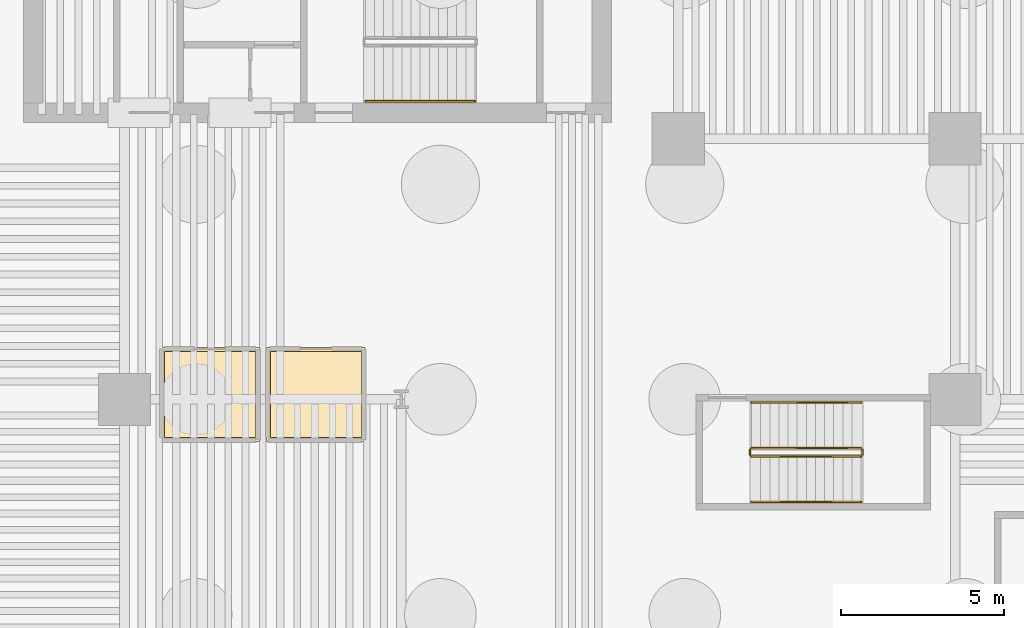
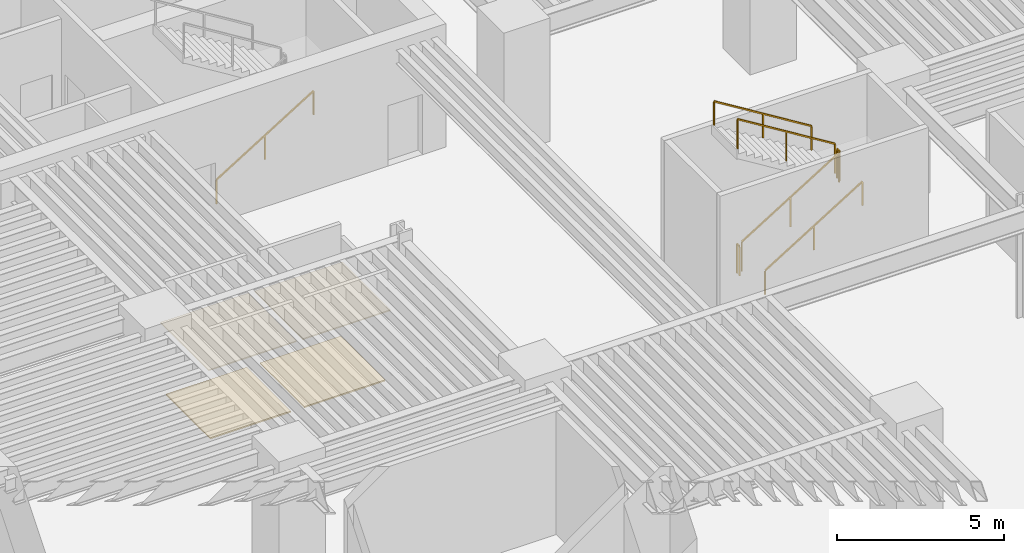
# One storey, part 7 of 11: 7 railings, 4 coverings.
"""IFC4 building model written with IfcOpenShell, lengths in metres."""

from ifc_helpers import new_model, si_unit, direction, frame, origin, origin_2d, place, context, subcontext, project, spatial, polyline, rectangle, outline, extrude, material, layer, layer_set, type_object, element, save


model = new_model("IFC4")

# Units and contexts
model_context = context("Model", 3, precision=1e-05, world=origin(), true_north=direction((0.0, 1.0)))
body_context = subcontext(model_context, "Body", "Model", "MODEL_VIEW")
ifc_project = project(units=[si_unit("LENGTHUNIT", "METRE"), si_unit("AREAUNIT", "SQUARE_METRE"), si_unit("VOLUMEUNIT", "CUBIC_METRE"), si_unit("PLANEANGLEUNIT", "RADIAN"), si_unit("MASSUNIT", "GRAM", prefix="KILO")], contexts=[model_context])

# Site, building, storey
site_placement = place(None, origin())
site = spatial("IfcSite", under=ifc_project, at=site_placement, CompositionType="ELEMENT")
building_placement = place(site_placement, origin())
building = spatial("IfcBuilding", under=site, at=building_placement, Name="Caeloran Harvest Quay", CompositionType="ELEMENT")
storey_placement = place(building_placement, frame((0.0, 0.0, -18.0)))
storey = spatial("IfcBuildingStorey", under=building, at=storey_placement, Name="B04", CompositionType="ELEMENT", Elevation=-18.0)

# Coverings
ifc_material_1 = material(Name="Perforated Mineral-Fibre Acoustic Ceiling Tile", Category="ceiling")
ifc_layer_1 = layer(ifc_material_1, 0.0400390625, Name="Perforated Mineral-Fibre Acoustic Ceiling Tile")
ifc_layer_set_1 = layer_set([ifc_layer_1], Name="Perforated Mineral-Fibre Acoustic Ceiling Tile")
covering_type_1 = type_object("IfcCoveringType", Name="COV-CEILING-ACOUSTIC", PredefinedType="CEILING", material=ifc_layer_set_1)
covering_1_placement = place(storey_placement, frame((0.0, 0.0, 2.60009765625)))
element("IfcCovering", 1, at=covering_1_placement, inside=storey, type_object=covering_type_1, Name="B04 Car Park Male Washroom WC Acoustic Ceiling", PredefinedType="CEILING", context=body_context, shape_type="SweptSolid", body=[
    extrude(outline(polyline([(12.639892578125, 24.590087890625), (12.639892578125, 21.7099609375), (9.610107421875, 21.7099609375), (9.610107421875, 24.590087890625), (12.639892578125, 24.590087890625)])), origin(), (0.0, 0.0, 1.0), 0.039794921875),
])
covering_2_placement = place(storey_placement, frame((0.0, 0.0, 2.60009765625)))
element("IfcCovering", 2, at=covering_2_placement, inside=storey, type_object=covering_type_1, Name="B04 Accessible Unisex Washroom WC Acoustic Ceiling", PredefinedType="CEILING", context=body_context, shape_type="SweptSolid", body=[
    extrude(outline(polyline([(15.889892578125, 24.590087890625), (15.889892578125, 21.7099609375), (12.860107421875, 21.7099609375), (12.860107421875, 24.590087890625), (15.889892578125, 24.590087890625)])), origin(), (0.0, 0.0, 1.0), 0.039794921875),
])
ifc_material_2 = material(Name="Calcium-Sulphate Raised Access Floor and Terrazzo Finish", Category="flooring")
ifc_layer_2 = layer(ifc_material_2, 0.050048828125, Name="Calcium-Sulphate Raised Access Floor and Terrazzo Finish")
ifc_layer_set_2 = layer_set([ifc_layer_2], Name="Calcium-Sulphate Raised Access Floor and Terrazzo Finish")
covering_type_2 = type_object("IfcCoveringType", Name="COV-FLOOR-RAISED", PredefinedType="FLOORING", material=ifc_layer_set_2)
covering_3_placement = place(storey_placement, origin())
element("IfcCovering", 3, at=covering_3_placement, inside=storey, type_object=covering_type_2, Name="B04 Car Park Male Washroom WC Raised Finish Flooring", PredefinedType="FLOORING", context=body_context, shape_type="SweptSolid", body=[
    extrude(outline(polyline([(12.52001953125, 24.469970703125), (12.52001953125, 21.830078125), (9.72998046875, 21.830078125), (9.72998046875, 24.469970703125), (12.52001953125, 24.469970703125)])), origin(), (0.0, 0.0, 1.0), 0.050048828125),
])
covering_4_placement = place(storey_placement, origin())
element("IfcCovering", 4, at=covering_4_placement, inside=storey, type_object=covering_type_2, Name="B04 Accessible Unisex Washroom WC Raised Finish Flooring", PredefinedType="FLOORING", context=body_context, shape_type="SweptSolid", body=[
    extrude(outline(polyline([(15.77001953125, 24.469970703125), (15.77001953125, 21.830078125), (12.97998046875, 21.830078125), (12.97998046875, 24.469970703125), (15.77001953125, 24.469970703125)])), origin(), (0.0, 0.0, 1.0), 0.050048828125),
])

# Railings
ifc_material_3 = material(Name="Painted Steel Baluster and Top-Rail Stair Guard", Category="steel")
ifc_layer_3 = layer(ifc_material_3, 0.050048828125, Name="Painted Steel Baluster and Top-Rail Stair Guard")
ifc_layer_set_3 = layer_set([ifc_layer_3], Name="Painted Steel Baluster and Top-Rail Stair Guard")
railing_type_1 = type_object("IfcRailingType", Name="STAIR-GUARD-1100", PredefinedType="GUARDRAIL", material=ifc_layer_set_3)
railing_1_placement = place(storey_placement, frame((27.75, 21.25, 0.173095703125)))
element("IfcRailing", 5, at=railing_1_placement, inside=storey, type_object=railing_type_1, Name="B04 ST-W1 stair guard 1", PredefinedType="GUARDRAIL", context=body_context, shape_type="SweptSolid", body=[
    extrude(rectangle(XDim=0.048095703125, YDim=0.048095703125, at=origin_2d()), frame((0.0, 0.0, 1.076171875), z_axis=(0.850623216509, 0.0, 0.525775754039), x_axis=(0.0, 1.0, 0.0)), (0.0, 0.0, 1.0), 3.9501953125),
    extrude(rectangle(XDim=0.0419921875, YDim=0.0419921875, at=origin_2d()), origin(), (0.0, 0.0, 1.0), 1.052001953125),
    extrude(rectangle(XDim=0.0419921875, YDim=0.0419921875, at=origin_2d()), frame((1.68017578125, 0.0, 1.03857421875)), (0.0, 0.0, 1.0), 1.052001953125),
    extrude(rectangle(XDim=0.0419921875, YDim=0.0419921875, at=origin_2d()), frame((3.360107421875, 0.0, 2.076904296875)), (0.0, 0.0, 1.0), 1.052001953125),
])
railing_2_placement = place(storey_placement, frame((31.159912109375, 21.300048828125, 2.25)))
element("IfcRailing", 6, at=railing_2_placement, inside=storey, type_object=railing_type_1, Name="B04 ST-W1 stair guard 2", PredefinedType="GUARDRAIL", context=body_context, shape_type="SweptSolid", body=[
    extrude(rectangle(XDim=0.048095703125, YDim=0.048095703125, at=origin_2d()), frame((0.0, 0.0, 1.076171875), z_axis=(0.0, 1.0, 0.0), x_axis=(-1.0, 0.0, 0.0)), (0.0, 0.0, 1.0), 0.14990234375),
    extrude(rectangle(XDim=0.0419921875, YDim=0.0419921875, at=origin_2d()), origin(), (0.0, 0.0, 1.0), 1.052001953125),
    extrude(rectangle(XDim=0.0419921875, YDim=0.0419921875, at=origin_2d()), frame((0.0, 0.14990234375, 0.0)), (0.0, 0.0, 1.0), 1.052001953125),
])
railing_3_placement = place(storey_placement, frame((31.110107421875, 21.5, 2.423095703125)))
element("IfcRailing", 7, at=railing_3_placement, inside=storey, type_object=railing_type_1, Name="B04 ST-W1 stair guard 3", PredefinedType="GUARDRAIL", context=body_context, shape_type="SweptSolid", body=[
    extrude(rectangle(XDim=0.048095703125, YDim=0.048095703125, at=origin_2d()), frame((0.0, 0.0, 1.076171875), z_axis=(-0.850623216509, 0.0, 0.525775754039), x_axis=(0.0, -1.0, 0.0)), (0.0, 0.0, 1.0), 3.9501953125),
    extrude(rectangle(XDim=0.0419921875, YDim=0.0419921875, at=origin_2d()), origin(), (0.0, 0.0, 1.0), 1.052001953125),
    extrude(rectangle(XDim=0.0419921875, YDim=0.0419921875, at=origin_2d()), frame((-1.68017578125, 0.0, 1.03857421875)), (0.0, 0.0, 1.0), 1.052001953125),
    extrude(rectangle(XDim=0.0419921875, YDim=0.0419921875, at=origin_2d()), frame((-3.360107421875, 0.0, 2.076904296875)), (0.0, 0.0, 1.0), 1.052001953125),
])
railing_4_placement = place(storey_placement, frame((27.699951171875, 21.300048828125, 0.0)))
element("IfcRailing", 8, at=railing_4_placement, inside=storey, type_object=railing_type_1, Name="B04 ST-W1 stair guard 4", PredefinedType="GUARDRAIL", context=body_context, shape_type="SweptSolid", body=[
    extrude(rectangle(XDim=0.048095703125, YDim=0.048095703125, at=origin_2d()), frame((0.0, 0.0, 1.076171875), z_axis=(0.0, 1.0, 0.0), x_axis=(-1.0, 0.0, 0.0)), (0.0, 0.0, 1.0), 0.14990234375),
    extrude(rectangle(XDim=0.0419921875, YDim=0.0419921875, at=origin_2d()), origin(), (0.0, 0.0, 1.0), 1.052001953125),
    extrude(rectangle(XDim=0.0419921875, YDim=0.0419921875, at=origin_2d()), frame((0.0, 0.14990234375, 0.0)), (0.0, 0.0, 1.0), 1.052001953125),
])
ifc_material_4 = material(Name="Brushed Stainless Steel Grade 304", Category="steel")
ifc_layer_4 = layer(ifc_material_4, 0.050048828125, Name="Brushed Stainless Steel Grade 304")
ifc_layer_set_4 = layer_set([ifc_layer_4], Name="Brushed Stainless Steel Grade 304")
railing_type_2 = type_object("IfcRailingType", Name="STAIR-HANDRAIL-900", PredefinedType="HANDRAIL", material=ifc_layer_set_4)
for number, where, name in (
    (9, (15.89990234375, 32.14990234375, 0.173095703125), "B04 ST-C2 stair handrail 1"),
    (10, (27.75, 19.85009765625, 0.173095703125), "B04 ST-W1 stair handrail 1"),
):
    element("IfcRailing", number, at=place(storey_placement, frame(where)), inside=storey, type_object=railing_type_2, Name=name, PredefinedType="HANDRAIL", context=body_context, shape_type="SweptSolid", body=[
        extrude(rectangle(XDim=0.048095703125, YDim=0.048095703125, at=origin_2d()), frame((0.0, 0.0, 0.8759765625), z_axis=(0.850623216509, 0.0, 0.525775754039), x_axis=(0.0, 1.0, 0.0)), (0.0, 0.0, 1.0), 3.9501953125),
        extrude(rectangle(XDim=0.0419921875, YDim=0.0419921875, at=origin_2d()), origin(), (0.0, 0.0, 1.0), 0.851806640625),
        extrude(rectangle(XDim=0.0419921875, YDim=0.0419921875, at=origin_2d()), frame((1.68017578125, 0.0, 1.03857421875)), (0.0, 0.0, 1.0), 0.851806640625),
        extrude(rectangle(XDim=0.0419921875, YDim=0.0419921875, at=origin_2d()), frame((3.360107421875, 0.0, 2.076904296875)), (0.0, 0.0, 1.0), 0.851806640625),
    ])
railing_5_placement = place(storey_placement, frame((31.110107421875, 22.89990234375, 2.423095703125)))
element("IfcRailing", 11, at=railing_5_placement, inside=storey, type_object=railing_type_2, Name="B04 ST-W1 stair handrail 2", PredefinedType="HANDRAIL", context=body_context, shape_type="SweptSolid", body=[
    extrude(rectangle(XDim=0.048095703125, YDim=0.048095703125, at=origin_2d()), frame((0.0, 0.0, 0.8759765625), z_axis=(-0.850623216509, 0.0, 0.525775754039), x_axis=(0.0, -1.0, 0.0)), (0.0, 0.0, 1.0), 3.9501953125),
    extrude(rectangle(XDim=0.0419921875, YDim=0.0419921875, at=origin_2d()), origin(), (0.0, 0.0, 1.0), 0.851806640625),
    extrude(rectangle(XDim=0.0419921875, YDim=0.0419921875, at=origin_2d()), frame((-1.68017578125, 0.0, 1.03857421875)), (0.0, 0.0, 1.0), 0.851806640625),
    extrude(rectangle(XDim=0.0419921875, YDim=0.0419921875, at=origin_2d()), frame((-3.360107421875, 0.0, 2.076904296875)), (0.0, 0.0, 1.0), 0.851806640625),
])

save(model, "model.ifc")
